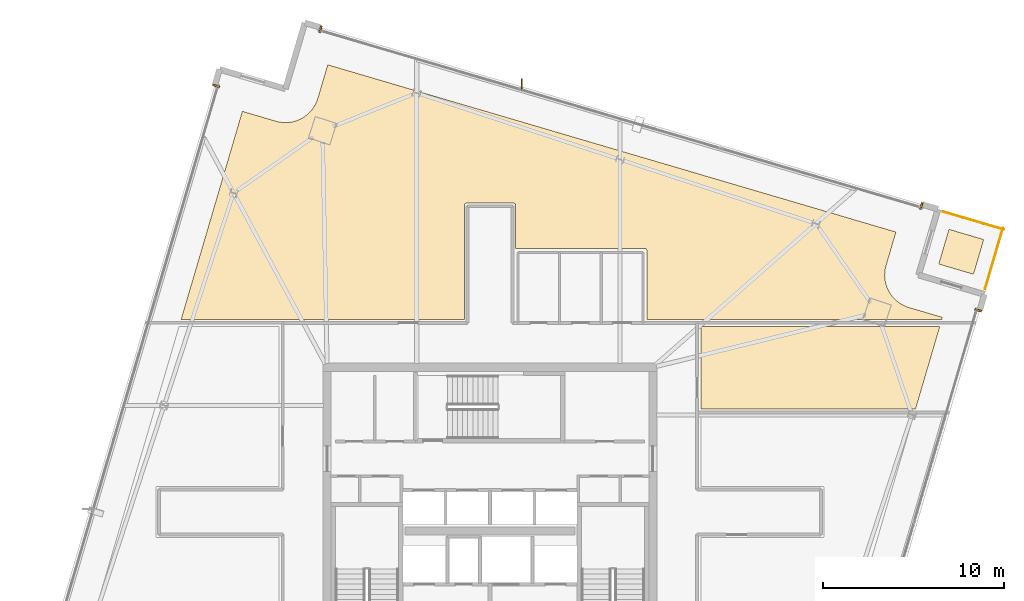
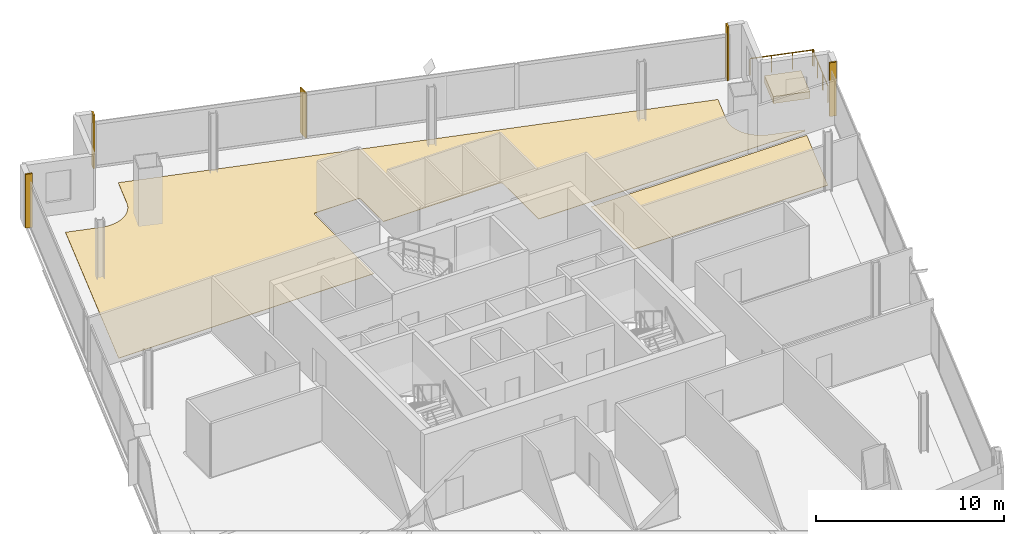
# One storey, part 26 of 26: 7 coverings, 2 railings, 1 shading device.
"""IFC4 building model written with IfcOpenShell, lengths in metres."""

from ifc_helpers import new_model, si_unit, direction, frame, origin, origin_2d, place, context, subcontext, project, spatial, polyline, rectangle, outline, extrude, source, transform, mapped, material, layer, layer_set, type_object, element, save


model = new_model("IFC4")

# Units and contexts
model_context = context("Model", 3, precision=1e-05, world=origin(), true_north=direction((0.0, 1.0)))
body_context = subcontext(model_context, "Body", "Model", "MODEL_VIEW")
ifc_project = project(units=[si_unit("LENGTHUNIT", "METRE"), si_unit("AREAUNIT", "SQUARE_METRE"), si_unit("VOLUMEUNIT", "CUBIC_METRE"), si_unit("PLANEANGLEUNIT", "RADIAN"), si_unit("MASSUNIT", "GRAM", prefix="KILO")], contexts=[model_context])

# Site, building, storey
site_placement = place(None, origin())
site = spatial("IfcSite", under=ifc_project, at=site_placement, CompositionType="ELEMENT")
building_placement = place(site_placement, origin())
building = spatial("IfcBuilding", under=site, at=building_placement, Name="Haldenkirk Collegiate Tower", CompositionType="ELEMENT")
storey_placement = place(building_placement, frame((0.0, 0.0, 274.949951171875)))
storey = spatial("IfcBuildingStorey", under=building, at=storey_placement, Name="L69", CompositionType="ELEMENT", Elevation=274.949951171875)

# Coverings
ifc_material_1 = material(Name="Polished collegiate terrazzo", Category="concrete")
ifc_layer_1 = layer(ifc_material_1, 0.02490234375)
ifc_layer_set_1 = layer_set([ifc_layer_1], Name="Polished collegiate terrazzo")
covering_type_1 = type_object("IfcCoveringType", Name="COV-FLOOR-TERRAZZO", PredefinedType="FLOORING", material=ifc_layer_set_1)
covering_1_placement = place(storey_placement, origin())
element("IfcCovering", 1, at=covering_1_placement, inside=storey, type_object=covering_type_1, Name="L69 academic room finish 06", PredefinedType="FLOORING", context=body_context, shape_type="SweptSolid", body=[
    extrude(outline(polyline([(24.1669921875, 47.599853515625), (24.172607421875, 47.598388671875), (24.339599609375, 47.557861328125), (24.351318359375, 47.5556640625), (24.521240234375, 47.531982421875), (24.532958984375, 47.531005859375), (24.70458984375, 47.52392578125), (24.71630859375, 47.52392578125), (24.8876953125, 47.53369140625), (24.899658203125, 47.534912109375), (25.069091796875, 47.5615234375), (25.080810546875, 47.56396484375), (25.2470703125, 47.607177734375), (25.25830078125, 47.610595703125), (25.41943359375, 47.669921875), (25.430419921875, 47.674560546875), (25.5849609375, 47.749267578125), (25.59521484375, 47.7548828125), (25.74169921875, 47.84423828125), (25.751708984375, 47.850830078125), (25.888671875, 47.954345703125), (25.897705078125, 47.9619140625), (26.02392578125, 48.078369140625), (26.0322265625, 48.0869140625), (26.146484375, 48.215087890625), (26.15380859375, 48.22412109375), (26.2548828125, 48.36279296875), (26.26171875, 48.372802734375), (26.3486328125, 48.520751953125), (26.35400390625, 48.531005859375), (26.42626953125, 48.68701171875), (26.4306640625, 48.697998046875), (26.487060546875, 48.860107421875), (26.489013671875, 48.86572265625), (27.03369140625, 50.717041015625), (58.43701171875, 41.474609375), (57.89208984375, 39.623291015625), (57.890625, 39.617431640625), (57.850341796875, 39.45068359375), (57.84814453125, 39.43896484375), (57.82421875, 39.268798828125), (57.8232421875, 39.257080078125), (57.816162109375, 39.085693359375), (57.81640625, 39.073974609375), (57.826171875, 38.90234375), (57.827392578125, 38.890625), (57.85400390625, 38.720947265625), (57.856201171875, 38.70947265625), (57.8994140625, 38.543212890625), (57.903076171875, 38.531982421875), (57.962158203125, 38.37060546875), (57.966796875, 38.35986328125), (58.04150390625, 38.205322265625), (58.047119140625, 38.19482421875), (58.13671875, 38.04833984375), (58.143310546875, 38.03857421875), (58.24658203125, 37.901611328125), (58.25439453125, 37.892578125), (58.37060546875, 37.76611328125), (58.379150390625, 37.7578125), (58.50732421875, 37.643798828125), (58.516357421875, 37.63623046875), (58.6552734375, 37.53515625), (58.6650390625, 37.52880859375), (58.81298828125, 37.441650390625), (58.823486328125, 37.43603515625), (58.9794921875, 37.364013671875), (58.990234375, 37.359619140625), (59.15234375, 37.302978515625), (59.157958984375, 37.30126953125), (61.009521484375, 36.756591796875), (60.97802734375, 36.64990234375), (44.669921875, 36.64990234375), (44.669921875, 40.449951171875), (44.66943359375, 40.4619140625), (44.667724609375, 40.473388671875), (44.664794921875, 40.48486328125), (44.660888671875, 40.495849609375), (44.65576171875, 40.506591796875), (44.64990234375, 40.5166015625), (44.642822265625, 40.526123046875), (44.635009765625, 40.534912109375), (44.626220703125, 40.542724609375), (44.61669921875, 40.5498046875), (44.606689453125, 40.555908203125), (44.595947265625, 40.560791015625), (44.584716796875, 40.564697265625), (44.573486328125, 40.567626953125), (44.561767578125, 40.5693359375), (44.550048828125, 40.570068359375), (37.449951171875, 40.570068359375), (37.438232421875, 40.5693359375), (37.426513671875, 40.567626953125), (37.419921875, 40.56591796875), (37.419921875, 42.949951171875), (37.41943359375, 42.9619140625), (37.417724609375, 42.973388671875), (37.414794921875, 42.98486328125), (37.410888671875, 42.995849609375), (37.40576171875, 43.006591796875), (37.39990234375, 43.0166015625), (37.392822265625, 43.026123046875), (37.385009765625, 43.034912109375), (37.376220703125, 43.042724609375), (37.36669921875, 43.0498046875), (37.356689453125, 43.055908203125), (37.345947265625, 43.060791015625), (37.334716796875, 43.064697265625), (37.323486328125, 43.067626953125), (37.311767578125, 43.0693359375), (37.300048828125, 43.070068359375), (34.699951171875, 43.070068359375), (34.688232421875, 43.0693359375), (34.676513671875, 43.067626953125), (34.665283203125, 43.064697265625), (34.654052734375, 43.060791015625), (34.643310546875, 43.055908203125), (34.63330078125, 43.0498046875), (34.623779296875, 43.042724609375), (34.614990234375, 43.034912109375), (34.607177734375, 43.026123046875), (34.60009765625, 43.0166015625), (34.59423828125, 43.006591796875), (34.589111328125, 42.995849609375), (34.585205078125, 42.98486328125), (34.582275390625, 42.973388671875), (34.58056640625, 42.9619140625), (34.580078125, 42.949951171875), (34.580078125, 36.64990234375), (18.9326171875, 36.64990234375), (22.315673828125, 48.14453125), (24.1669921875, 47.599853515625)])), origin(), (0.0, 0.0, 1.0), 0.025146484375),
])
covering_2_placement = place(storey_placement, origin())
element("IfcCovering", 2, at=covering_2_placement, inside=storey, type_object=covering_type_1, Name="L69 academic room finish 10", PredefinedType="FLOORING", context=body_context, shape_type="SweptSolid", body=[
    extrude(outline(polyline([(59.521240234375, 31.699951171875), (47.64990234375, 31.699951171875), (47.64990234375, 36.25), (60.860595703125, 36.25), (59.521240234375, 31.699951171875)])), origin(), (0.0, 0.0, 1.0), 0.025146484375),
])
ifc_material_2 = material(Name="Precast concrete f'c 40 MPa", Category="concrete")
ifc_layer_2 = layer(ifc_material_2, 0.449951171875)
ifc_layer_set_2 = layer_set([ifc_layer_2], Name="Precast concrete f'c 40 MPa")
covering_type_2 = type_object("IfcCoveringType", Name="COV-PLANTER-450", PredefinedType="USERDEFINED", material=ifc_layer_set_2)
covering_3_placement = place(storey_placement, origin())
element("IfcCovering", 3, at=covering_3_placement, inside=storey, type_object=covering_type_2, Name="L69 planted garden planter bed", ObjectType="PLANTER", PredefinedType="USERDEFINED", context=body_context, shape_type="SweptSolid", body=[
    extrude(outline(polyline([(62.72216796875, 39.139892578125), (60.803466796875, 39.70458984375), (61.3681640625, 41.623046875), (63.286865234375, 41.058349609375), (62.72216796875, 39.139892578125)])), origin(), (0.0, 0.0, 1.0), 0.449951171875),
])

# Railings
ifc_material_3 = material(Name="Anodised architectural bronze aluminium", Category="aluminium")
railing_type = type_object("IfcRailingType", Name="RLG-TERR-BALUSTRADE-1100", PredefinedType="BALUSTRADE", material=ifc_material_3)
railing_1_placement = place(storey_placement, frame((63.3642578125, 38.34619140625, 0.0)))
element("IfcRailing", 4, at=railing_1_placement, inside=storey, type_object=railing_type, Name="L69 terrace guard balustrade 1-1", PredefinedType="BALUSTRADE", context=body_context, shape_type="SweptSolid", body=[
    extrude(rectangle(XDim=0.048095703125, YDim=0.048095703125, at=origin_2d()), frame((0.0, 0.0, 1.076171875), z_axis=(0.282310655968, 0.959323039193, 0.0), x_axis=(-0.959323039193, 0.282310655968, 0.0)), (0.0, 0.0, 1.0), 3.47998046875),
    extrude(rectangle(XDim=0.0419921875, YDim=0.0419921875, at=origin_2d()), origin(), (0.0, 0.0, 1.0), 1.052001953125),
    extrude(rectangle(XDim=0.0419921875, YDim=0.0419921875, at=origin_2d()), frame((0.327392578125, 1.11279296875, 0.0)), (0.0, 0.0, 1.0), 1.052001953125),
    extrude(rectangle(XDim=0.0419921875, YDim=0.0419921875, at=origin_2d()), frame((0.655029296875, 2.2255859375, 0.0)), (0.0, 0.0, 1.0), 1.052001953125),
    extrude(rectangle(XDim=0.0419921875, YDim=0.0419921875, at=origin_2d()), frame((0.982421875, 3.33837890625, 0.0)), (0.0, 0.0, 1.0), 1.052001953125),
])
railing_2_placement = place(storey_placement, frame((64.387451171875, 41.610107421875, 0.0)))
element("IfcRailing", 5, at=railing_2_placement, inside=storey, type_object=railing_type, Name="L69 terrace guard balustrade 2-1", PredefinedType="BALUSTRADE", context=body_context, shape_type="SweptSolid", body=[
    extrude(rectangle(XDim=0.048095703125, YDim=0.048095703125, at=origin_2d()), frame((0.0, 0.0, 1.076171875), z_axis=(-0.959309630378, 0.28235621662, 0.0), x_axis=(-0.28235621662, -0.959309630378, 0.0)), (0.0, 0.0, 1.0), 3.480224609375),
    extrude(rectangle(XDim=0.0419921875, YDim=0.0419921875, at=origin_2d()), origin(), (0.0, 0.0, 1.0), 1.052001953125),
    extrude(rectangle(XDim=0.0419921875, YDim=0.0419921875, at=origin_2d()), frame((-1.11279296875, 0.32763671875, 0.0)), (0.0, 0.0, 1.0), 1.052001953125),
    extrude(rectangle(XDim=0.0419921875, YDim=0.0419921875, at=origin_2d()), frame((-2.225830078125, 0.655029296875, 0.0)), (0.0, 0.0, 1.0), 1.052001953125),
    extrude(rectangle(XDim=0.0419921875, YDim=0.0419921875, at=origin_2d()), frame((-3.338623046875, 0.982666015625, 0.0)), (0.0, 0.0, 1.0), 1.052001953125),
])

# Coverings
ifc_layer_3 = layer(ifc_material_3, 0.06005859375)
ifc_layer_set_3 = layer_set([ifc_layer_3], Name="Anodised architectural bronze aluminium")
covering_type_3 = type_object("IfcCoveringType", Name="COV-CLAD-BRONZE-60", PredefinedType="CLADDING", material=ifc_layer_set_3)
shared_shape_1 = source(origin(), body_context, "Body", "SweptSolid", [
    extrude(rectangle(XDim=0.10009765625, YDim=0.3798828125, at=origin_2d()), origin(), (0.0, 0.0, 1.0), 3.47998046875),
])
for number, where, z_axis, x_axis, name in (
    (6, (62.982421875, 37.155517578125, 0.0), (0.0, 0.0, 1.0), (-0.282341456843, -0.95931397454, 0.0), "L69 recessed curtain-wall bronze jamb closure SJL"),
    (7, (26.634765625, 52.690185546875, 0.0), (0.0, 0.0, 1.0), (0.95931397454, -0.282341456843, 0.0), "L69 recessed curtain-wall bronze jamb closure EJL"),
    (8, (59.84130859375, 42.916748046875, 0.0), (0.0, 0.0, 1.0), (0.95931397454, -0.282341456843, 0.0), "L69 recessed curtain-wall bronze jamb closure EJR"),
    (9, (20.87353515625, 49.548828125, 0.0), (0.0, 0.0, 1.0), (0.282341456843, 0.95931397454, 0.0), "L69 recessed curtain-wall bronze jamb closure NJR"),
):
    element("IfcCovering", number, at=place(storey_placement, frame(where, z_axis=z_axis, x_axis=x_axis)), inside=storey, type_object=covering_type_3, Name=name, PredefinedType="CLADDING", context=body_context, shape_type="MappedRepresentation", body=[
        mapped(shared_shape_1, transform((0.0, 0.0, 0.0), x_axis=(1.0, 0.0, 0.0), y_axis=(0.0, 1.0, 0.0), z_axis=(0.0, 0.0, 1.0), scale=1.0)),
    ])

# Shading device
ifc_layer_4 = layer(ifc_material_3, 0.06494140625)
ifc_layer_set_4 = layer_set([ifc_layer_4], Name="Anodised architectural bronze aluminium")
shading_device_type = type_object("IfcShadingDeviceType", Name="SHD-FIN-BRONZE-620", PredefinedType="USERDEFINED", material=ifc_layer_set_4)
shared_shape_2 = source(origin(), body_context, "Body", "SweptSolid", [
    extrude(rectangle(XDim=0.6201171875, YDim=0.06494140625, at=origin_2d()), origin(), (0.0, 0.0, 1.0), 2.93798828125),
])
shading_device_placement = place(storey_placement, frame((37.751953125, 49.6318359375, 0.0), z_axis=(0.0, 0.0, 1.0), x_axis=(0.006981260298, 0.999975630705, 0.0)))
element("IfcShadingDevice", 10, at=shading_device_placement, inside=storey, type_object=shading_device_type, Name="L69 folded bronze solar fin 1", ObjectType="FIN", PredefinedType="USERDEFINED", context=body_context, shape_type="MappedRepresentation", body=[
    mapped(shared_shape_2, transform((0.0, 0.0, 0.0), x_axis=(1.0, 0.0, 0.0), y_axis=(0.0, 1.0, 0.0), z_axis=(0.0, 0.0, 1.0), scale=1.0)),
])

save(model, "model.ifc")
